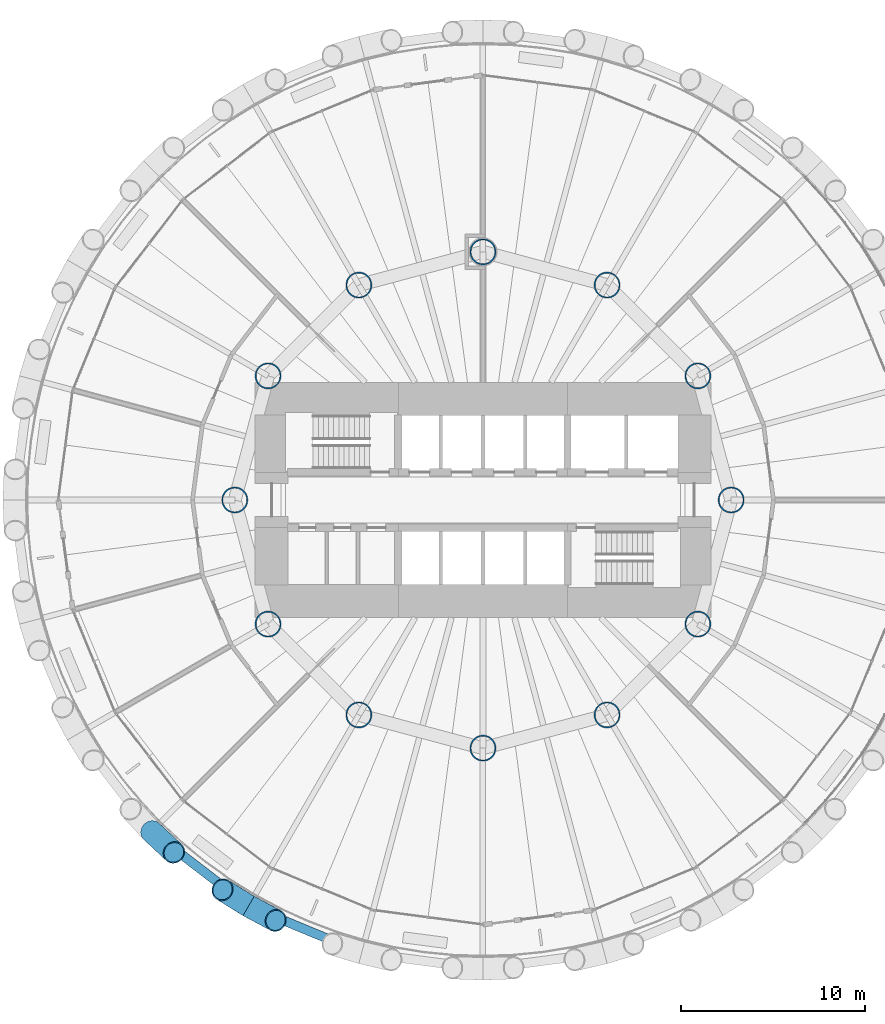
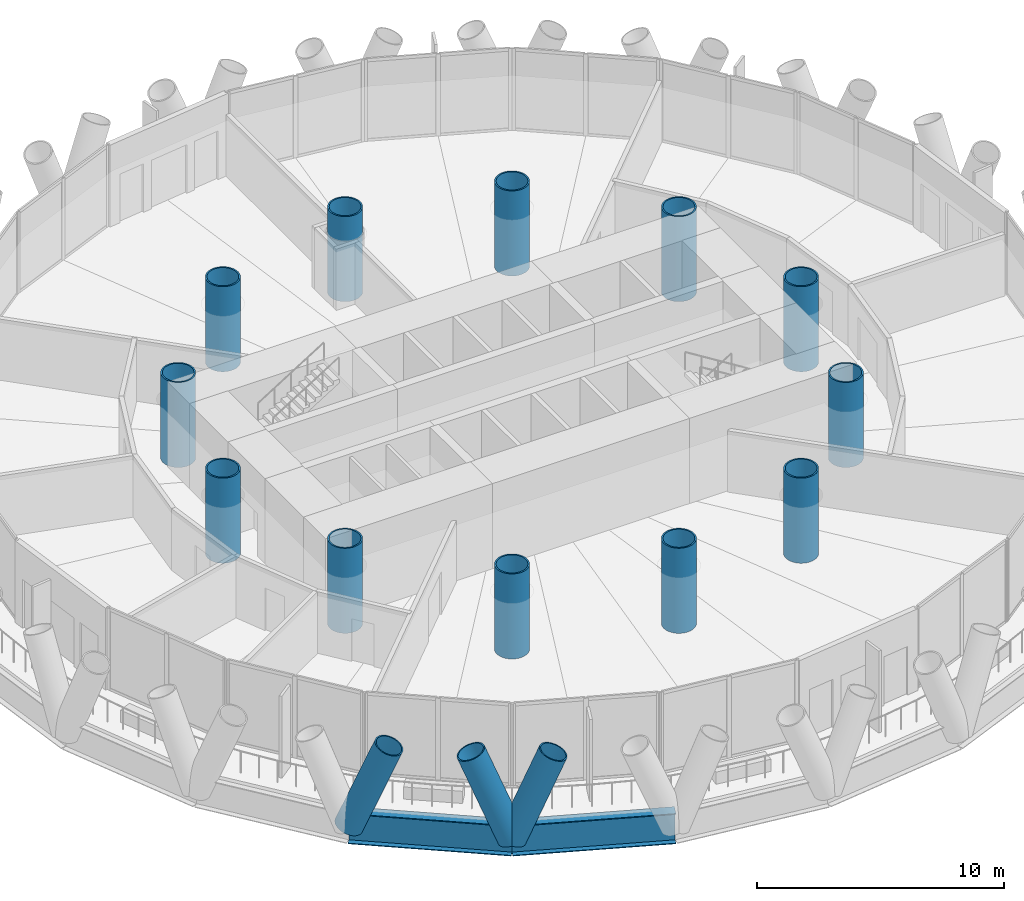
# One storey, part 1 of 14: 12 columns, 3 members, 2 beams.
"""IFC4 building model written with IfcOpenShell, lengths in metres."""

from ifc_helpers import new_model, si_unit, direction, frame, origin, origin_2d, place, context, subcontext, project, spatial, hollow_circle, i_section, extrude, material, material_profile, profile_set, type_object, element, save


model = new_model("IFC4")

# Units and contexts
model_context = context("Model", 3, precision=1e-05, world=origin(), true_north=direction((0.0, 1.0)))
body_context = subcontext(model_context, "Body", "Model", "MODEL_VIEW")
ifc_project = project(units=[si_unit("LENGTHUNIT", "METRE"), si_unit("AREAUNIT", "SQUARE_METRE"), si_unit("VOLUMEUNIT", "CUBIC_METRE"), si_unit("PLANEANGLEUNIT", "RADIAN"), si_unit("MASSUNIT", "GRAM", prefix="KILO")], contexts=[model_context])

# Site, building, storey
site_placement = place(None, origin())
site = spatial("IfcSite", under=ifc_project, at=site_placement, CompositionType="ELEMENT")
building_placement = place(site_placement, origin())
building = spatial("IfcBuilding", under=site, at=building_placement, Name="Qaws Media Tower", CompositionType="ELEMENT")
storey_placement = place(building_placement, frame((0.0, 0.0, 76.39990234375)))
storey = spatial("IfcBuildingStorey", under=building, at=storey_placement, Name="L16", CompositionType="ELEMENT", Elevation=76.39990234375)

# Columns
ifc_material_1 = material(Name="Steel S460", Category="steel")
ifc_material_profile_1 = material_profile(ifc_material_1, hollow_circle(Radius=0.7109375, WallThickness=0.070068359375, at=origin_2d()), Name="CHS 1422x70")
ifc_profile_set_1 = profile_set([ifc_material_profile_1], Name="Steel S460")
column_type = type_object("IfcColumnType", Name="Inner column CHS 1422x70", PredefinedType="COLUMN", material=ifc_profile_set_1)
for number, where, z_axis, x_axis, name in (
    (1, (73.5, 50.0, 0.0), (0.0, 0.0, 1.0), (1.0, 0.0, 0.0), "C5 inner column I01 L16"),
    (2, (71.69140625, 56.75, 0.0), (0.0, 0.0, 1.0), (1.0, 0.0, 0.0), "C5 inner column I02 L16"),
    (3, (66.75, 61.69140625, 0.0), (0.0, 0.0, 1.0), (1.0, 0.0, 0.0), "C5 inner column I03 L16"),
    (4, (60.0, 63.5, 0.0), (0.0, 0.0, 1.0), (1.0, 0.0, 0.0), "C5 inner column I04 L16"),
    (5, (53.25, 61.69140625, 0.0), (0.0, 0.0, 1.0), (1.0, 0.0, 0.0), "C5 inner column I05 L16"),
    (6, (48.30859375, 56.75, 0.0), (0.0, 0.0, 1.0), (1.0, 0.0, 0.0), "C5 inner column I06 L16"),
    (7, (46.5, 50.0, 0.0), (0.0, 0.0, 1.0), (1.0, 0.0, 0.0), "C5 inner column I07 L16"),
    (8, (48.30859375, 43.25, 0.0), (0.0, 0.0, 1.0), (1.0, 0.0, 0.0), "C5 inner column I08 L16"),
    (9, (53.25, 38.30859375, 0.0), (0.0, 0.0, 1.0), (1.0, 0.0, 0.0), "C5 inner column I09 L16"),
    (10, (60.0, 36.5, 0.0), (0.0, 0.0, 1.0), (1.0, 0.0, 0.0), "C5 inner column I10 L16"),
    (11, (66.75, 38.30859375, 0.0), (0.0, 0.0, 1.0), (1.0, 0.0, 0.0), "C5 inner column I11 L16"),
    (12, (71.69140625, 43.25, 0.0), (0.0, 0.0, 1.0), (1.0, 0.0, 0.0), "C5 inner column I12 L16"),
):
    element("IfcColumn", number, at=place(storey_placement, frame(where, z_axis=z_axis, x_axis=x_axis)), inside=storey, type_object=column_type, Name=name, PredefinedType="COLUMN", context=body_context, shape_type="SweptSolid", body=[
        extrude(hollow_circle(Radius=0.7109375, WallThickness=0.070068359375, at=origin_2d()), origin(), (0.0, 0.0, 1.0), 4.2001953125),
    ])

# Members
ifc_material_2 = material(Name="Steel S460", Category="steel")
ifc_material_profile_2 = material_profile(ifc_material_2, hollow_circle(Radius=0.609619140625, WallThickness=0.06005859375, at=origin_2d()), Name="CHS 1219x60")
ifc_profile_set_2 = profile_set([ifc_material_profile_2], Name="Steel S460")
member_type = type_object("IfcMemberType", Name="Diagrid member CHS 1219x60", PredefinedType="USERDEFINED", material=ifc_profile_set_2)
for number, where, z_axis, x_axis, name in (
    (13, (41.96875, 31.96875, -0.909912109375), (0.269513931591, -0.25238907364, 0.929334168201), (0.683537088333, 0.729915782041, 0.0), "DG1 diagrid L16 A16"),
    (14, (47.25, 27.916259765625, -0.909912109375), (0.32564223674, -0.174057612272, 0.929333675953), (0.471392967129, 0.881923279283, 0.0), "DG1 diagrid L16 A17"),
    (15, (47.25, 27.916259765625, -0.909912109375), (-0.31354119219, 0.195017867644, 0.929333068442), (-0.528156564892, -0.84914700904, 0.0), "DG1 diagrid L16 B17"),
):
    element("IfcMember", number, at=place(storey_placement, frame(where, z_axis=z_axis, x_axis=x_axis)), inside=storey, type_object=member_type, Name=name, ObjectType="DIAGRID", PredefinedType="USERDEFINED", context=body_context, shape_type="SweptSolid", body=[
        extrude(hollow_circle(Radius=0.609619140625, WallThickness=0.06005859375, at=origin_2d()), origin(), (0.0, 0.0, 1.0), 4.519287109375),
    ])

# Beams
ifc_material_3 = material(Name="Steel S460", Category="steel")
ifc_material_profile_3 = material_profile(ifc_material_3, i_section(OverallWidth=0.5, OverallDepth=1.5, WebThickness=0.02001953125, FlangeThickness=0.0400390625, at=origin_2d()), Name="PG 1500x500")
ifc_profile_set_3 = profile_set([ifc_material_profile_3], Name="Steel S460")
beam_type = type_object("IfcBeamType", Name="Edge ring beam PG 1500x500", PredefinedType="BEAM", material=ifc_profile_set_3)
beam_1_placement = place(storey_placement, frame((41.96875, 31.96875, -0.909912109375), z_axis=(0.793350106032, -0.608765643954, 0.0), x_axis=(0.608765643954, 0.793350106032, 0.0)))
element("IfcBeam", 16, at=beam_1_placement, inside=storey, type_object=beam_type, Name="RB4 edge ring beam L16-16", PredefinedType="BEAM", context=body_context, shape_type="SweptSolid", body=[
    extrude(i_section(OverallWidth=0.5, OverallDepth=1.5, WebThickness=0.02001953125, FlangeThickness=0.0400390625, at=origin_2d()), origin(), (0.0, 0.0, 1.0), 6.656982421875),
])
beam_2_placement = place(storey_placement, frame((47.25, 27.916259765625, -0.909912109375), z_axis=(0.923885417312, -0.382669224891, 0.0), x_axis=(0.382669224891, 0.923885417312, 0.0)))
element("IfcBeam", 17, at=beam_2_placement, inside=storey, type_object=beam_type, Name="RB4 edge ring beam L16-17", PredefinedType="BEAM", context=body_context, shape_type="SweptSolid", body=[
    extrude(i_section(OverallWidth=0.5, OverallDepth=1.5, WebThickness=0.02001953125, FlangeThickness=0.0400390625, at=origin_2d()), origin(), (0.0, 0.0, 1.0), 6.65673828125),
])

save(model, "model.ifc")
